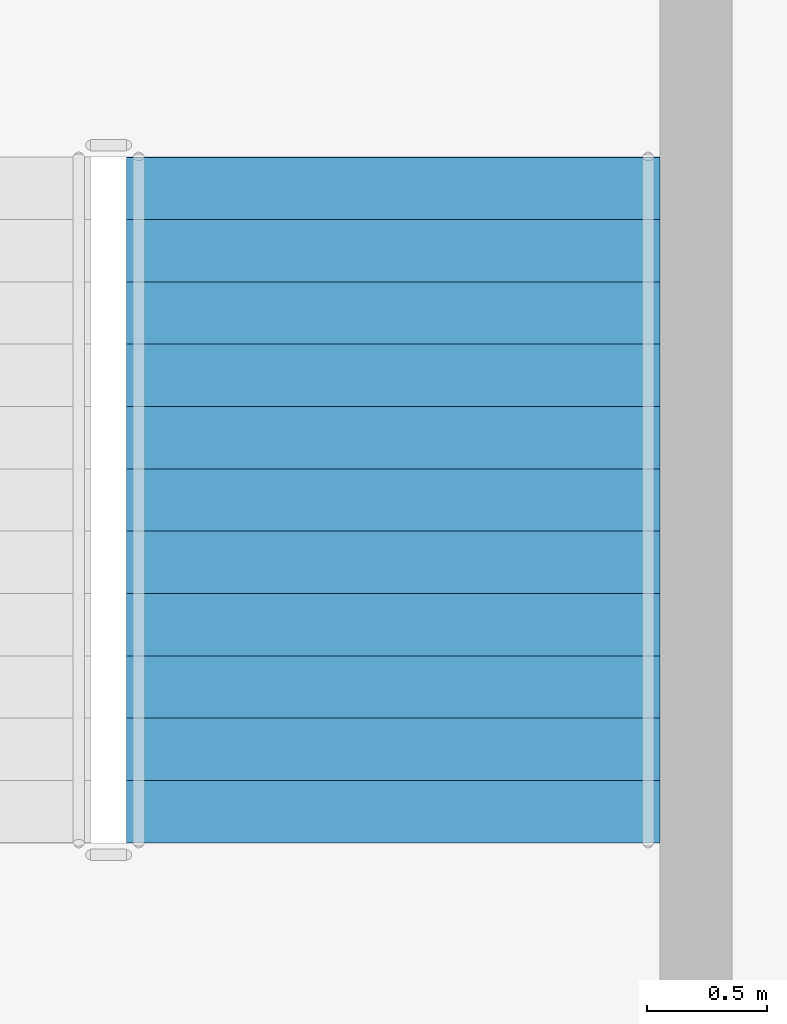
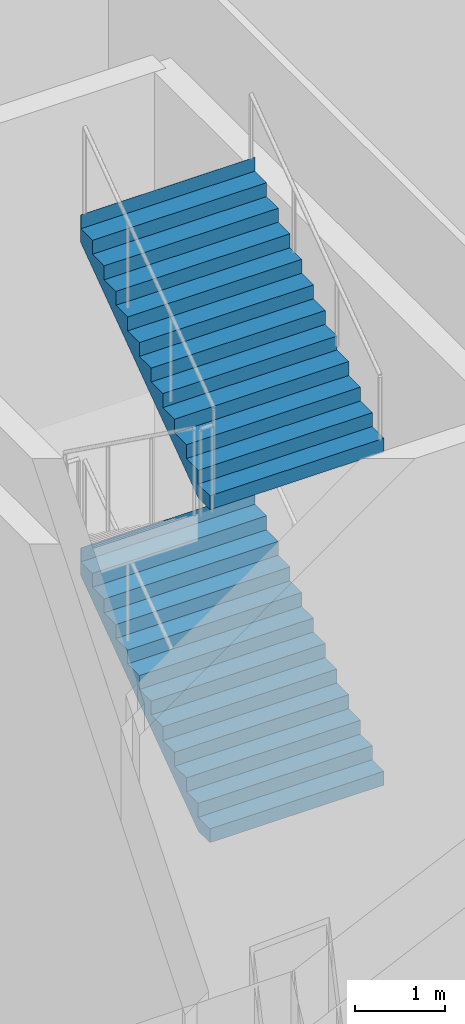
# One storey, part 16 of 35: 2 stair flights, 1 element without a shape of its own.
"""IFC4 building model written with IfcOpenShell, lengths in metres."""

from ifc_helpers import new_model, si_unit, direction, frame, origin, place, context, subcontext, project, spatial, triangles, material, type_object, element, aggregate, save


model = new_model("IFC4")

# Units and contexts
model_context = context("Model", 3, precision=1e-05, world=origin(), true_north=direction((0.0, 1.0)))
body_context = subcontext(model_context, "Body", "Model", "MODEL_VIEW")
ifc_project = project(units=[si_unit("LENGTHUNIT", "METRE"), si_unit("AREAUNIT", "SQUARE_METRE"), si_unit("VOLUMEUNIT", "CUBIC_METRE"), si_unit("PLANEANGLEUNIT", "RADIAN"), si_unit("MASSUNIT", "GRAM", prefix="KILO")], contexts=[model_context])

# Site, building, storey
site_placement = place(None, origin())
site = spatial("IfcSite", under=ifc_project, at=site_placement, CompositionType="ELEMENT")
building_placement = place(site_placement, origin())
building = spatial("IfcBuilding", under=site, at=building_placement, Name="Sahrelin Media Tower", CompositionType="ELEMENT")
storey_placement = place(building_placement, frame((0.0, 0.0, 8.0)))
storey = spatial("IfcBuildingStorey", under=building, at=storey_placement, Name="L01", CompositionType="ELEMENT", Elevation=8.0)

# Stair, stair flights
ifc_material = material(Name="Concrete C40/50", Category="concrete")
stair_type = type_object("IfcStairType", Name="Podium stair 2225", PredefinedType="HALF_TURN_STAIR", material=ifc_material)
stair_placement = place(storey_placement, origin())
stair = element("IfcStair", 1, at=stair_placement, inside=storey, type_object=stair_type, Name="L01 Podium stair PS3", PredefinedType="HALF_TURN_STAIR")
stair_flight_type = type_object("IfcStairFlightType", Name="Stair flight 2225", PredefinedType="STRAIGHT", material=ifc_material)
stair_flight_1_placement = place(storey_placement, frame((-9.46240234375, -33.485107421875, 2.25), z_axis=(0.0, 0.0, 1.0), x_axis=(0.0, 1.0, 0.0)))
stair_flight_1 = element("IfcStairFlight", 2, at=stair_flight_1_placement, type_object=stair_flight_type, Name="PS3 flight 2", NumberOfRisers=12, NumberOfTreads=11, PredefinedType="STRAIGHT", RiserHeight=0.1875, TreadLength=0.26, context=body_context, shape_type="Tessellation", body=[
    triangles([(0.25634765625, 1.112548828125, 0.0), (0.25634765625, 0.794677734375, 0.0), (0.25634765625, 0.476806640625, 0.0), (0.25634765625, 0.158935546875, 0.0), (0.25634765625, -0.158935546875, 0.0), (0.25634765625, -0.476806640625, 0.0), (0.25634765625, -0.794677734375, 0.0), (0.25634765625, -1.112548828125, 0.0), (2.860107421875, 1.112548828125, 1.877685546875), (2.860107421875, 0.794677734375, 1.877685546875), (2.860107421875, 0.476806640625, 1.877685546875), (2.860107421875, 0.158935546875, 1.877685546875), (2.860107421875, -0.158935546875, 1.877685546875), (2.860107421875, -0.476806640625, 1.877685546875), (2.860107421875, -0.794677734375, 1.877685546875), (2.860107421875, -1.112548828125, 1.877685546875), (2.860107421875, 1.112548828125, 2.25), (2.860107421875, 0.794677734375, 2.25), (2.860107421875, 0.476806640625, 2.25), (2.860107421875, 0.158935546875, 2.25), (2.860107421875, -0.158935546875, 2.25), (2.860107421875, -0.476806640625, 2.25), (2.860107421875, -0.794677734375, 2.25), (2.860107421875, -1.112548828125, 2.25), (2.85791015625, 1.112548828125, 2.25), (2.85791015625, 0.794677734375, 2.25), (2.85791015625, 0.476806640625, 2.25), (2.85791015625, 0.158935546875, 2.25), (2.85791015625, -0.158935546875, 2.25), (2.85791015625, -0.476806640625, 2.25), (2.85791015625, -0.794677734375, 2.25), (2.85791015625, -1.112548828125, 2.25), (2.85791015625, 1.112548828125, 2.0625), (2.85791015625, 0.794677734375, 2.0625), (2.85791015625, 0.476806640625, 2.0625), (2.85791015625, 0.158935546875, 2.0625), (2.85791015625, -0.158935546875, 2.0625), (2.85791015625, -0.476806640625, 2.0625), (2.85791015625, -0.794677734375, 2.0625), (2.85791015625, -1.112548828125, 2.0625), (2.60009765625, 1.112548828125, 2.0625), (2.60009765625, 0.794677734375, 2.0625), (2.60009765625, 0.476806640625, 2.0625), (2.60009765625, 0.158935546875, 2.0625), (2.60009765625, -0.158935546875, 2.0625), (2.60009765625, -0.476806640625, 2.0625), (2.60009765625, -0.794677734375, 2.0625), (2.60009765625, -1.112548828125, 2.0625), (2.60009765625, 1.112548828125, 1.875), (2.60009765625, 0.794677734375, 1.875), (2.60009765625, 0.476806640625, 1.875), (2.60009765625, 0.158935546875, 1.875), (2.60009765625, -0.158935546875, 1.875), (2.60009765625, -0.476806640625, 1.875), (2.60009765625, -0.794677734375, 1.875), (2.60009765625, -1.112548828125, 1.875), (2.340087890625, 1.112548828125, 1.875), (2.340087890625, 0.794677734375, 1.875), (2.340087890625, 0.476806640625, 1.875), (2.340087890625, 0.158935546875, 1.875), (2.340087890625, -0.158935546875, 1.875), (2.340087890625, -0.476806640625, 1.875), (2.340087890625, -0.794677734375, 1.875), (2.340087890625, -1.112548828125, 1.875), (2.340087890625, 1.112548828125, 1.6875), (2.340087890625, 0.794677734375, 1.6875), (2.340087890625, 0.476806640625, 1.6875), (2.340087890625, 0.158935546875, 1.6875), (2.340087890625, -0.158935546875, 1.6875), (2.340087890625, -0.476806640625, 1.6875), (2.340087890625, -0.794677734375, 1.6875), (2.340087890625, -1.112548828125, 1.6875), (2.080078125, 1.112548828125, 1.6875), (2.080078125, 0.794677734375, 1.6875), (2.080078125, 0.476806640625, 1.6875), (2.080078125, 0.158935546875, 1.6875), (2.080078125, -0.158935546875, 1.6875), (2.080078125, -0.476806640625, 1.6875), (2.080078125, -0.794677734375, 1.6875), (2.080078125, -1.112548828125, 1.6875), (2.080078125, 1.112548828125, 1.5), (2.080078125, 0.794677734375, 1.5), (2.080078125, 0.476806640625, 1.5), (2.080078125, 0.158935546875, 1.5), (2.080078125, -0.158935546875, 1.5), (2.080078125, -0.476806640625, 1.5), (2.080078125, -0.794677734375, 1.5), (2.080078125, -1.112548828125, 1.5), (1.820068359375, 1.112548828125, 1.5), (1.820068359375, 0.794677734375, 1.5), (1.820068359375, 0.476806640625, 1.5), (1.820068359375, 0.158935546875, 1.5), (1.820068359375, -0.158935546875, 1.5), (1.820068359375, -0.476806640625, 1.5), (1.820068359375, -0.794677734375, 1.5), (1.820068359375, -1.112548828125, 1.5), (1.820068359375, 1.112548828125, 1.3125), (1.820068359375, 0.794677734375, 1.3125), (1.820068359375, 0.476806640625, 1.3125), (1.820068359375, 0.158935546875, 1.3125), (1.820068359375, -0.158935546875, 1.3125), (1.820068359375, -0.476806640625, 1.3125), (1.820068359375, -0.794677734375, 1.3125), (1.820068359375, -1.112548828125, 1.3125), (1.56005859375, 1.112548828125, 1.3125), (1.56005859375, 0.794677734375, 1.3125), (1.56005859375, 0.476806640625, 1.3125), (1.56005859375, 0.158935546875, 1.3125), (1.56005859375, -0.158935546875, 1.3125), (1.56005859375, -0.476806640625, 1.3125), (1.56005859375, -0.794677734375, 1.3125), (1.56005859375, -1.112548828125, 1.3125), (1.56005859375, 1.112548828125, 1.125), (1.56005859375, 0.794677734375, 1.125), (1.56005859375, 0.476806640625, 1.125), (1.56005859375, 0.158935546875, 1.125), (1.56005859375, -0.158935546875, 1.125), (1.56005859375, -0.476806640625, 1.125), (1.56005859375, -0.794677734375, 1.125), (1.56005859375, -1.112548828125, 1.125), (1.300048828125, 1.112548828125, 1.125), (1.300048828125, 0.794677734375, 1.125), (1.300048828125, 0.476806640625, 1.125), (1.300048828125, 0.158935546875, 1.125), (1.300048828125, -0.158935546875, 1.125), (1.300048828125, -0.476806640625, 1.125), (1.300048828125, -0.794677734375, 1.125), (1.300048828125, -1.112548828125, 1.125), (1.300048828125, 1.112548828125, 0.9375), (1.300048828125, 0.794677734375, 0.9375), (1.300048828125, 0.476806640625, 0.9375), (1.300048828125, 0.158935546875, 0.9375), (1.300048828125, -0.158935546875, 0.9375), (1.300048828125, -0.476806640625, 0.9375), (1.300048828125, -0.794677734375, 0.9375), (1.300048828125, -1.112548828125, 0.9375), (1.0400390625, 1.112548828125, 0.9375), (1.0400390625, 0.794677734375, 0.9375), (1.0400390625, 0.476806640625, 0.9375), (1.0400390625, 0.158935546875, 0.9375), (1.0400390625, -0.158935546875, 0.9375), (1.0400390625, -0.476806640625, 0.9375), (1.0400390625, -0.794677734375, 0.9375), (1.0400390625, -1.112548828125, 0.9375), (1.0400390625, 1.112548828125, 0.75), (1.0400390625, 0.794677734375, 0.75), (1.0400390625, 0.476806640625, 0.75), (1.0400390625, 0.158935546875, 0.75), (1.0400390625, -0.158935546875, 0.75), (1.0400390625, -0.476806640625, 0.75), (1.0400390625, -0.794677734375, 0.75), (1.0400390625, -1.112548828125, 0.75), (0.780029296875, 1.112548828125, 0.75), (0.780029296875, 0.794677734375, 0.75), (0.780029296875, 0.476806640625, 0.75), (0.780029296875, 0.158935546875, 0.75), (0.780029296875, -0.158935546875, 0.75), (0.780029296875, -0.476806640625, 0.75), (0.780029296875, -0.794677734375, 0.75), (0.780029296875, -1.112548828125, 0.75), (0.780029296875, 1.112548828125, 0.5625), (0.780029296875, 0.794677734375, 0.5625), (0.780029296875, 0.476806640625, 0.5625), (0.780029296875, 0.158935546875, 0.5625), (0.780029296875, -0.158935546875, 0.5625), (0.780029296875, -0.476806640625, 0.5625), (0.780029296875, -0.794677734375, 0.5625), (0.780029296875, -1.112548828125, 0.5625), (0.52001953125, 1.112548828125, 0.5625), (0.52001953125, 0.794677734375, 0.5625), (0.52001953125, 0.476806640625, 0.5625), (0.52001953125, 0.158935546875, 0.5625), (0.52001953125, -0.158935546875, 0.5625), (0.52001953125, -0.476806640625, 0.5625), (0.52001953125, -0.794677734375, 0.5625), (0.52001953125, -1.112548828125, 0.5625), (0.52001953125, 1.112548828125, 0.375), (0.52001953125, 0.794677734375, 0.375), (0.52001953125, 0.476806640625, 0.375), (0.52001953125, 0.158935546875, 0.375), (0.52001953125, -0.158935546875, 0.375), (0.52001953125, -0.476806640625, 0.375), (0.52001953125, -0.794677734375, 0.375), (0.52001953125, -1.112548828125, 0.375), (0.260009765625, 1.112548828125, 0.375), (0.260009765625, 0.794677734375, 0.375), (0.260009765625, 0.476806640625, 0.375), (0.260009765625, 0.158935546875, 0.375), (0.260009765625, -0.158935546875, 0.375), (0.260009765625, -0.476806640625, 0.375), (0.260009765625, -0.794677734375, 0.375), (0.260009765625, -1.112548828125, 0.375), (0.260009765625, 1.112548828125, 0.1875), (0.260009765625, 0.794677734375, 0.1875), (0.260009765625, 0.476806640625, 0.1875), (0.260009765625, 0.158935546875, 0.1875), (0.260009765625, -0.158935546875, 0.1875), (0.260009765625, -0.476806640625, 0.1875), (0.260009765625, -0.794677734375, 0.1875), (0.260009765625, -1.112548828125, 0.1875), (0.0, 1.112548828125, 0.1875), (0.0, 0.794677734375, 0.1875), (0.0, 0.476806640625, 0.1875), (0.0, 0.158935546875, 0.1875), (0.0, -0.158935546875, 0.1875), (0.0, -0.476806640625, 0.1875), (0.0, -0.794677734375, 0.1875), (0.0, -1.112548828125, 0.1875), (0.0, 1.112548828125, 0.0), (0.0, 0.794677734375, 0.0), (0.0, 0.476806640625, 0.0), (0.0, 0.158935546875, 0.0), (0.0, -0.158935546875, 0.0), (0.0, -0.476806640625, 0.0), (0.0, -0.794677734375, 0.0), (0.0, -1.112548828125, 0.0)], [[1, 9, 10], [1, 10, 2], [2, 10, 11], [2, 11, 3], [3, 11, 12], [3, 12, 4], [4, 12, 13], [4, 13, 5], [5, 13, 14], [5, 14, 6], [6, 14, 15], [6, 15, 7], [7, 15, 16], [7, 16, 8], [9, 17, 18], [9, 18, 10], [10, 18, 19], [10, 19, 11], [11, 19, 20], [11, 20, 12], [12, 20, 21], [12, 21, 13], [13, 21, 22], [13, 22, 14], [14, 22, 23], [14, 23, 15], [15, 23, 24], [15, 24, 16], [17, 25, 26], [17, 26, 18], [18, 26, 27], [18, 27, 19], [19, 27, 28], [19, 28, 20], [20, 28, 29], [20, 29, 21], [21, 29, 30], [21, 30, 22], [22, 30, 31], [22, 31, 23], [23, 31, 32], [23, 32, 24], [25, 33, 34], [25, 34, 26], [26, 34, 35], [26, 35, 27], [27, 35, 36], [27, 36, 28], [28, 36, 37], [28, 37, 29], [29, 37, 38], [29, 38, 30], [30, 38, 39], [30, 39, 31], [31, 39, 40], [31, 40, 32], [33, 41, 42], [33, 42, 34], [34, 42, 43], [34, 43, 35], [35, 43, 44], [35, 44, 36], [36, 44, 45], [36, 45, 37], [37, 45, 46], [37, 46, 38], [38, 46, 47], [38, 47, 39], [39, 47, 48], [39, 48, 40], [41, 49, 50], [41, 50, 42], [42, 50, 51], [42, 51, 43], [43, 51, 52], [43, 52, 44], [44, 52, 53], [44, 53, 45], [45, 53, 54], [45, 54, 46], [46, 54, 55], [46, 55, 47], [47, 55, 56], [47, 56, 48], [49, 57, 58], [49, 58, 50], [50, 58, 59], [50, 59, 51], [51, 59, 60], [51, 60, 52], [52, 60, 61], [52, 61, 53], [53, 61, 62], [53, 62, 54], [54, 62, 63], [54, 63, 55], [55, 63, 64], [55, 64, 56], [57, 65, 66], [57, 66, 58], [58, 66, 67], [58, 67, 59], [59, 67, 68], [59, 68, 60], [60, 68, 69], [60, 69, 61], [61, 69, 70], [61, 70, 62], [62, 70, 71], [62, 71, 63], [63, 71, 72], [63, 72, 64], [65, 73, 74], [65, 74, 66], [66, 74, 75], [66, 75, 67], [67, 75, 76], [67, 76, 68], [68, 76, 77], [68, 77, 69], [69, 77, 78], [69, 78, 70], [70, 78, 79], [70, 79, 71], [71, 79, 80], [71, 80, 72], [73, 81, 82], [73, 82, 74], [74, 82, 83], [74, 83, 75], [75, 83, 84], [75, 84, 76], [76, 84, 85], [76, 85, 77], [77, 85, 86], [77, 86, 78], [78, 86, 87], [78, 87, 79], [79, 87, 88], [79, 88, 80], [81, 89, 90], [81, 90, 82], [82, 90, 91], [82, 91, 83], [83, 91, 92], [83, 92, 84], [84, 92, 93], [84, 93, 85], [85, 93, 94], [85, 94, 86], [86, 94, 95], [86, 95, 87], [87, 95, 96], [87, 96, 88], [89, 97, 98], [89, 98, 90], [90, 98, 99], [90, 99, 91], [91, 99, 100], [91, 100, 92], [92, 100, 101], [92, 101, 93], [93, 101, 102], [93, 102, 94], [94, 102, 103], [94, 103, 95], [95, 103, 104], [95, 104, 96], [97, 105, 106], [97, 106, 98], [98, 106, 107], [98, 107, 99], [99, 107, 108], [99, 108, 100], [100, 108, 109], [100, 109, 101], [101, 109, 110], [101, 110, 102], [102, 110, 111], [102, 111, 103], [103, 111, 112], [103, 112, 104], [105, 113, 114], [105, 114, 106], [106, 114, 115], [106, 115, 107], [107, 115, 116], [107, 116, 108], [108, 116, 117], [108, 117, 109], [109, 117, 118], [109, 118, 110], [110, 118, 119], [110, 119, 111], [111, 119, 120], [111, 120, 112], [113, 121, 122], [113, 122, 114], [114, 122, 123], [114, 123, 115], [115, 123, 124], [115, 124, 116], [116, 124, 125], [116, 125, 117], [117, 125, 126], [117, 126, 118], [118, 126, 127], [118, 127, 119], [119, 127, 128], [119, 128, 120], [121, 129, 130], [121, 130, 122], [122, 130, 131], [122, 131, 123], [123, 131, 132], [123, 132, 124], [124, 132, 133], [124, 133, 125], [125, 133, 134], [125, 134, 126], [126, 134, 135], [126, 135, 127], [127, 135, 136], [127, 136, 128], [129, 137, 138], [129, 138, 130], [130, 138, 139], [130, 139, 131], [131, 139, 140], [131, 140, 132], [132, 140, 141], [132, 141, 133], [133, 141, 142], [133, 142, 134], [134, 142, 143], [134, 143, 135], [135, 143, 144], [135, 144, 136], [137, 145, 146], [137, 146, 138], [138, 146, 147], [138, 147, 139], [139, 147, 148], [139, 148, 140], [140, 148, 149], [140, 149, 141], [141, 149, 150], [141, 150, 142], [142, 150, 151], [142, 151, 143], [143, 151, 152], [143, 152, 144], [145, 153, 154], [145, 154, 146], [146, 154, 155], [146, 155, 147], [147, 155, 156], [147, 156, 148], [148, 156, 157], [148, 157, 149], [149, 157, 158], [149, 158, 150], [150, 158, 159], [150, 159, 151], [151, 159, 160], [151, 160, 152], [153, 161, 162], [153, 162, 154], [154, 162, 163], [154, 163, 155], [155, 163, 164], [155, 164, 156], [156, 164, 165], [156, 165, 157], [157, 165, 166], [157, 166, 158], [158, 166, 167], [158, 167, 159], [159, 167, 168], [159, 168, 160], [161, 169, 170], [161, 170, 162], [162, 170, 171], [162, 171, 163], [163, 171, 172], [163, 172, 164], [164, 172, 173], [164, 173, 165], [165, 173, 174], [165, 174, 166], [166, 174, 175], [166, 175, 167], [167, 175, 176], [167, 176, 168], [169, 177, 178], [169, 178, 170], [170, 178, 179], [170, 179, 171], [171, 179, 180], [171, 180, 172], [172, 180, 181], [172, 181, 173], [173, 181, 182], [173, 182, 174], [174, 182, 183], [174, 183, 175], [175, 183, 184], [175, 184, 176], [177, 185, 186], [177, 186, 178], [178, 186, 187], [178, 187, 179], [179, 187, 188], [179, 188, 180], [180, 188, 189], [180, 189, 181], [181, 189, 190], [181, 190, 182], [182, 190, 191], [182, 191, 183], [183, 191, 192], [183, 192, 184], [185, 193, 194], [185, 194, 186], [186, 194, 195], [186, 195, 187], [187, 195, 196], [187, 196, 188], [188, 196, 197], [188, 197, 189], [189, 197, 198], [189, 198, 190], [190, 198, 199], [190, 199, 191], [191, 199, 200], [191, 200, 192], [193, 201, 202], [193, 202, 194], [194, 202, 203], [194, 203, 195], [195, 203, 204], [195, 204, 196], [196, 204, 205], [196, 205, 197], [197, 205, 206], [197, 206, 198], [198, 206, 207], [198, 207, 199], [199, 207, 208], [199, 208, 200], [201, 209, 210], [201, 210, 202], [202, 210, 211], [202, 211, 203], [203, 211, 212], [203, 212, 204], [204, 212, 213], [204, 213, 205], [205, 213, 214], [205, 214, 206], [206, 214, 215], [206, 215, 207], [207, 215, 216], [207, 216, 208], [209, 1, 2], [209, 2, 210], [210, 2, 3], [210, 3, 211], [211, 3, 4], [211, 4, 212], [212, 4, 5], [212, 5, 213], [213, 5, 6], [213, 6, 214], [214, 6, 7], [214, 7, 215], [215, 7, 8], [215, 8, 216], [8, 208, 216], [1, 209, 201], [200, 184, 192], [193, 185, 177], [184, 168, 176], [177, 169, 161], [168, 152, 160], [161, 153, 145], [152, 136, 144], [145, 137, 129], [136, 120, 128], [129, 121, 113], [120, 104, 112], [113, 105, 97], [104, 88, 96], [97, 89, 81], [88, 72, 80], [81, 73, 65], [72, 56, 64], [65, 57, 49], [56, 40, 48], [49, 41, 33], [40, 24, 32], [33, 25, 17], [8, 200, 208], [1, 201, 193], [16, 56, 72], [9, 65, 49], [40, 16, 24], [33, 17, 9], [184, 200, 8], [177, 1, 193], [56, 16, 40], [49, 33, 9], [168, 184, 8], [161, 1, 177], [72, 88, 16], [65, 9, 81], [152, 168, 8], [145, 1, 161], [104, 16, 88], [97, 81, 9], [136, 152, 8], [129, 1, 145], [120, 16, 104], [113, 97, 9], [120, 136, 8], [113, 1, 129], [8, 16, 120], [1, 113, 9]], closed=True),
])
stair_flight_2_placement = place(storey_placement, frame((-9.46240234375, -33.485107421875, 6.75), z_axis=(0.0, 0.0, 1.0), x_axis=(0.0, 1.0, 0.0)))
stair_flight_2 = element("IfcStairFlight", 3, at=stair_flight_2_placement, type_object=stair_flight_type, Name="PS3 flight 4", NumberOfRisers=12, NumberOfTreads=11, PredefinedType="STRAIGHT", RiserHeight=0.1875, TreadLength=0.26, context=body_context, shape_type="Tessellation", body=[
    triangles([(0.25634765625, 1.112548828125, 0.0), (0.25634765625, 0.794677734375, 0.0), (0.25634765625, 0.476806640625, 0.0), (0.25634765625, 0.158935546875, 0.0), (0.25634765625, -0.158935546875, 0.0), (0.25634765625, -0.476806640625, 0.0), (0.25634765625, -0.794677734375, 0.0), (0.25634765625, -1.112548828125, 0.0), (2.860107421875, 1.112548828125, 1.877685546875), (2.860107421875, 0.794677734375, 1.877685546875), (2.860107421875, 0.476806640625, 1.877685546875), (2.860107421875, 0.158935546875, 1.877685546875), (2.860107421875, -0.158935546875, 1.877685546875), (2.860107421875, -0.476806640625, 1.877685546875), (2.860107421875, -0.794677734375, 1.877685546875), (2.860107421875, -1.112548828125, 1.877685546875), (2.860107421875, 1.112548828125, 2.25), (2.860107421875, 0.794677734375, 2.25), (2.860107421875, 0.476806640625, 2.25), (2.860107421875, 0.158935546875, 2.25), (2.860107421875, -0.158935546875, 2.25), (2.860107421875, -0.476806640625, 2.25), (2.860107421875, -0.794677734375, 2.25), (2.860107421875, -1.112548828125, 2.25), (2.85791015625, 1.112548828125, 2.25), (2.85791015625, 0.794677734375, 2.25), (2.85791015625, 0.476806640625, 2.25), (2.85791015625, 0.158935546875, 2.25), (2.85791015625, -0.158935546875, 2.25), (2.85791015625, -0.476806640625, 2.25), (2.85791015625, -0.794677734375, 2.25), (2.85791015625, -1.112548828125, 2.25), (2.85791015625, 1.112548828125, 2.0625), (2.85791015625, 0.794677734375, 2.0625), (2.85791015625, 0.476806640625, 2.0625), (2.85791015625, 0.158935546875, 2.0625), (2.85791015625, -0.158935546875, 2.0625), (2.85791015625, -0.476806640625, 2.0625), (2.85791015625, -0.794677734375, 2.0625), (2.85791015625, -1.112548828125, 2.0625), (2.60009765625, 1.112548828125, 2.0625), (2.60009765625, 0.794677734375, 2.0625), (2.60009765625, 0.476806640625, 2.0625), (2.60009765625, 0.158935546875, 2.0625), (2.60009765625, -0.158935546875, 2.0625), (2.60009765625, -0.476806640625, 2.0625), (2.60009765625, -0.794677734375, 2.0625), (2.60009765625, -1.112548828125, 2.0625), (2.60009765625, 1.112548828125, 1.875), (2.60009765625, 0.794677734375, 1.875), (2.60009765625, 0.476806640625, 1.875), (2.60009765625, 0.158935546875, 1.875), (2.60009765625, -0.158935546875, 1.875), (2.60009765625, -0.476806640625, 1.875), (2.60009765625, -0.794677734375, 1.875), (2.60009765625, -1.112548828125, 1.875), (2.340087890625, 1.112548828125, 1.875), (2.340087890625, 0.794677734375, 1.875), (2.340087890625, 0.476806640625, 1.875), (2.340087890625, 0.158935546875, 1.875), (2.340087890625, -0.158935546875, 1.875), (2.340087890625, -0.476806640625, 1.875), (2.340087890625, -0.794677734375, 1.875), (2.340087890625, -1.112548828125, 1.875), (2.340087890625, 1.112548828125, 1.6875), (2.340087890625, 0.794677734375, 1.6875), (2.340087890625, 0.476806640625, 1.6875), (2.340087890625, 0.158935546875, 1.6875), (2.340087890625, -0.158935546875, 1.6875), (2.340087890625, -0.476806640625, 1.6875), (2.340087890625, -0.794677734375, 1.6875), (2.340087890625, -1.112548828125, 1.6875), (2.080078125, 1.112548828125, 1.6875), (2.080078125, 0.794677734375, 1.6875), (2.080078125, 0.476806640625, 1.6875), (2.080078125, 0.158935546875, 1.6875), (2.080078125, -0.158935546875, 1.6875), (2.080078125, -0.476806640625, 1.6875), (2.080078125, -0.794677734375, 1.6875), (2.080078125, -1.112548828125, 1.6875), (2.080078125, 1.112548828125, 1.5), (2.080078125, 0.794677734375, 1.5), (2.080078125, 0.476806640625, 1.5), (2.080078125, 0.158935546875, 1.5), (2.080078125, -0.158935546875, 1.5), (2.080078125, -0.476806640625, 1.5), (2.080078125, -0.794677734375, 1.5), (2.080078125, -1.112548828125, 1.5), (1.820068359375, 1.112548828125, 1.5), (1.820068359375, 0.794677734375, 1.5), (1.820068359375, 0.476806640625, 1.5), (1.820068359375, 0.158935546875, 1.5), (1.820068359375, -0.158935546875, 1.5), (1.820068359375, -0.476806640625, 1.5), (1.820068359375, -0.794677734375, 1.5), (1.820068359375, -1.112548828125, 1.5), (1.820068359375, 1.112548828125, 1.3125), (1.820068359375, 0.794677734375, 1.3125), (1.820068359375, 0.476806640625, 1.3125), (1.820068359375, 0.158935546875, 1.3125), (1.820068359375, -0.158935546875, 1.3125), (1.820068359375, -0.476806640625, 1.3125), (1.820068359375, -0.794677734375, 1.3125), (1.820068359375, -1.112548828125, 1.3125), (1.56005859375, 1.112548828125, 1.3125), (1.56005859375, 0.794677734375, 1.3125), (1.56005859375, 0.476806640625, 1.3125), (1.56005859375, 0.158935546875, 1.3125), (1.56005859375, -0.158935546875, 1.3125), (1.56005859375, -0.476806640625, 1.3125), (1.56005859375, -0.794677734375, 1.3125), (1.56005859375, -1.112548828125, 1.3125), (1.56005859375, 1.112548828125, 1.125), (1.56005859375, 0.794677734375, 1.125), (1.56005859375, 0.476806640625, 1.125), (1.56005859375, 0.158935546875, 1.125), (1.56005859375, -0.158935546875, 1.125), (1.56005859375, -0.476806640625, 1.125), (1.56005859375, -0.794677734375, 1.125), (1.56005859375, -1.112548828125, 1.125), (1.300048828125, 1.112548828125, 1.125), (1.300048828125, 0.794677734375, 1.125), (1.300048828125, 0.476806640625, 1.125), (1.300048828125, 0.158935546875, 1.125), (1.300048828125, -0.158935546875, 1.125), (1.300048828125, -0.476806640625, 1.125), (1.300048828125, -0.794677734375, 1.125), (1.300048828125, -1.112548828125, 1.125), (1.300048828125, 1.112548828125, 0.9375), (1.300048828125, 0.794677734375, 0.9375), (1.300048828125, 0.476806640625, 0.9375), (1.300048828125, 0.158935546875, 0.9375), (1.300048828125, -0.158935546875, 0.9375), (1.300048828125, -0.476806640625, 0.9375), (1.300048828125, -0.794677734375, 0.9375), (1.300048828125, -1.112548828125, 0.9375), (1.0400390625, 1.112548828125, 0.9375), (1.0400390625, 0.794677734375, 0.9375), (1.0400390625, 0.476806640625, 0.9375), (1.0400390625, 0.158935546875, 0.9375), (1.0400390625, -0.158935546875, 0.9375), (1.0400390625, -0.476806640625, 0.9375), (1.0400390625, -0.794677734375, 0.9375), (1.0400390625, -1.112548828125, 0.9375), (1.0400390625, 1.112548828125, 0.75), (1.0400390625, 0.794677734375, 0.75), (1.0400390625, 0.476806640625, 0.75), (1.0400390625, 0.158935546875, 0.75), (1.0400390625, -0.158935546875, 0.75), (1.0400390625, -0.476806640625, 0.75), (1.0400390625, -0.794677734375, 0.75), (1.0400390625, -1.112548828125, 0.75), (0.780029296875, 1.112548828125, 0.75), (0.780029296875, 0.794677734375, 0.75), (0.780029296875, 0.476806640625, 0.75), (0.780029296875, 0.158935546875, 0.75), (0.780029296875, -0.158935546875, 0.75), (0.780029296875, -0.476806640625, 0.75), (0.780029296875, -0.794677734375, 0.75), (0.780029296875, -1.112548828125, 0.75), (0.780029296875, 1.112548828125, 0.5625), (0.780029296875, 0.794677734375, 0.5625), (0.780029296875, 0.476806640625, 0.5625), (0.780029296875, 0.158935546875, 0.5625), (0.780029296875, -0.158935546875, 0.5625), (0.780029296875, -0.476806640625, 0.5625), (0.780029296875, -0.794677734375, 0.5625), (0.780029296875, -1.112548828125, 0.5625), (0.52001953125, 1.112548828125, 0.5625), (0.52001953125, 0.794677734375, 0.5625), (0.52001953125, 0.476806640625, 0.5625), (0.52001953125, 0.158935546875, 0.5625), (0.52001953125, -0.158935546875, 0.5625), (0.52001953125, -0.476806640625, 0.5625), (0.52001953125, -0.794677734375, 0.5625), (0.52001953125, -1.112548828125, 0.5625), (0.52001953125, 1.112548828125, 0.375), (0.52001953125, 0.794677734375, 0.375), (0.52001953125, 0.476806640625, 0.375), (0.52001953125, 0.158935546875, 0.375), (0.52001953125, -0.158935546875, 0.375), (0.52001953125, -0.476806640625, 0.375), (0.52001953125, -0.794677734375, 0.375), (0.52001953125, -1.112548828125, 0.375), (0.260009765625, 1.112548828125, 0.375), (0.260009765625, 0.794677734375, 0.375), (0.260009765625, 0.476806640625, 0.375), (0.260009765625, 0.158935546875, 0.375), (0.260009765625, -0.158935546875, 0.375), (0.260009765625, -0.476806640625, 0.375), (0.260009765625, -0.794677734375, 0.375), (0.260009765625, -1.112548828125, 0.375), (0.260009765625, 1.112548828125, 0.1875), (0.260009765625, 0.794677734375, 0.1875), (0.260009765625, 0.476806640625, 0.1875), (0.260009765625, 0.158935546875, 0.1875), (0.260009765625, -0.158935546875, 0.1875), (0.260009765625, -0.476806640625, 0.1875), (0.260009765625, -0.794677734375, 0.1875), (0.260009765625, -1.112548828125, 0.1875), (0.0, 1.112548828125, 0.1875), (0.0, 0.794677734375, 0.1875), (0.0, 0.476806640625, 0.1875), (0.0, 0.158935546875, 0.1875), (0.0, -0.158935546875, 0.1875), (0.0, -0.476806640625, 0.1875), (0.0, -0.794677734375, 0.1875), (0.0, -1.112548828125, 0.1875), (0.0, 1.112548828125, 0.0), (0.0, 0.794677734375, 0.0), (0.0, 0.476806640625, 0.0), (0.0, 0.158935546875, 0.0), (0.0, -0.158935546875, 0.0), (0.0, -0.476806640625, 0.0), (0.0, -0.794677734375, 0.0), (0.0, -1.112548828125, 0.0)], [[1, 9, 10], [1, 10, 2], [2, 10, 11], [2, 11, 3], [3, 11, 12], [3, 12, 4], [4, 12, 13], [4, 13, 5], [5, 13, 14], [5, 14, 6], [6, 14, 15], [6, 15, 7], [7, 15, 16], [7, 16, 8], [9, 17, 18], [9, 18, 10], [10, 18, 19], [10, 19, 11], [11, 19, 20], [11, 20, 12], [12, 20, 21], [12, 21, 13], [13, 21, 22], [13, 22, 14], [14, 22, 23], [14, 23, 15], [15, 23, 24], [15, 24, 16], [17, 25, 26], [17, 26, 18], [18, 26, 27], [18, 27, 19], [19, 27, 28], [19, 28, 20], [20, 28, 29], [20, 29, 21], [21, 29, 30], [21, 30, 22], [22, 30, 31], [22, 31, 23], [23, 31, 32], [23, 32, 24], [25, 33, 34], [25, 34, 26], [26, 34, 35], [26, 35, 27], [27, 35, 36], [27, 36, 28], [28, 36, 37], [28, 37, 29], [29, 37, 38], [29, 38, 30], [30, 38, 39], [30, 39, 31], [31, 39, 40], [31, 40, 32], [33, 41, 42], [33, 42, 34], [34, 42, 43], [34, 43, 35], [35, 43, 44], [35, 44, 36], [36, 44, 45], [36, 45, 37], [37, 45, 46], [37, 46, 38], [38, 46, 47], [38, 47, 39], [39, 47, 48], [39, 48, 40], [41, 49, 50], [41, 50, 42], [42, 50, 51], [42, 51, 43], [43, 51, 52], [43, 52, 44], [44, 52, 53], [44, 53, 45], [45, 53, 54], [45, 54, 46], [46, 54, 55], [46, 55, 47], [47, 55, 56], [47, 56, 48], [49, 57, 58], [49, 58, 50], [50, 58, 59], [50, 59, 51], [51, 59, 60], [51, 60, 52], [52, 60, 61], [52, 61, 53], [53, 61, 62], [53, 62, 54], [54, 62, 63], [54, 63, 55], [55, 63, 64], [55, 64, 56], [57, 65, 66], [57, 66, 58], [58, 66, 67], [58, 67, 59], [59, 67, 68], [59, 68, 60], [60, 68, 69], [60, 69, 61], [61, 69, 70], [61, 70, 62], [62, 70, 71], [62, 71, 63], [63, 71, 72], [63, 72, 64], [65, 73, 74], [65, 74, 66], [66, 74, 75], [66, 75, 67], [67, 75, 76], [67, 76, 68], [68, 76, 77], [68, 77, 69], [69, 77, 78], [69, 78, 70], [70, 78, 79], [70, 79, 71], [71, 79, 80], [71, 80, 72], [73, 81, 82], [73, 82, 74], [74, 82, 83], [74, 83, 75], [75, 83, 84], [75, 84, 76], [76, 84, 85], [76, 85, 77], [77, 85, 86], [77, 86, 78], [78, 86, 87], [78, 87, 79], [79, 87, 88], [79, 88, 80], [81, 89, 90], [81, 90, 82], [82, 90, 91], [82, 91, 83], [83, 91, 92], [83, 92, 84], [84, 92, 93], [84, 93, 85], [85, 93, 94], [85, 94, 86], [86, 94, 95], [86, 95, 87], [87, 95, 96], [87, 96, 88], [89, 97, 98], [89, 98, 90], [90, 98, 99], [90, 99, 91], [91, 99, 100], [91, 100, 92], [92, 100, 101], [92, 101, 93], [93, 101, 102], [93, 102, 94], [94, 102, 103], [94, 103, 95], [95, 103, 104], [95, 104, 96], [97, 105, 106], [97, 106, 98], [98, 106, 107], [98, 107, 99], [99, 107, 108], [99, 108, 100], [100, 108, 109], [100, 109, 101], [101, 109, 110], [101, 110, 102], [102, 110, 111], [102, 111, 103], [103, 111, 112], [103, 112, 104], [105, 113, 114], [105, 114, 106], [106, 114, 115], [106, 115, 107], [107, 115, 116], [107, 116, 108], [108, 116, 117], [108, 117, 109], [109, 117, 118], [109, 118, 110], [110, 118, 119], [110, 119, 111], [111, 119, 120], [111, 120, 112], [113, 121, 122], [113, 122, 114], [114, 122, 123], [114, 123, 115], [115, 123, 124], [115, 124, 116], [116, 124, 125], [116, 125, 117], [117, 125, 126], [117, 126, 118], [118, 126, 127], [118, 127, 119], [119, 127, 128], [119, 128, 120], [121, 129, 130], [121, 130, 122], [122, 130, 131], [122, 131, 123], [123, 131, 132], [123, 132, 124], [124, 132, 133], [124, 133, 125], [125, 133, 134], [125, 134, 126], [126, 134, 135], [126, 135, 127], [127, 135, 136], [127, 136, 128], [129, 137, 138], [129, 138, 130], [130, 138, 139], [130, 139, 131], [131, 139, 140], [131, 140, 132], [132, 140, 141], [132, 141, 133], [133, 141, 142], [133, 142, 134], [134, 142, 143], [134, 143, 135], [135, 143, 144], [135, 144, 136], [137, 145, 146], [137, 146, 138], [138, 146, 147], [138, 147, 139], [139, 147, 148], [139, 148, 140], [140, 148, 149], [140, 149, 141], [141, 149, 150], [141, 150, 142], [142, 150, 151], [142, 151, 143], [143, 151, 152], [143, 152, 144], [145, 153, 154], [145, 154, 146], [146, 154, 155], [146, 155, 147], [147, 155, 156], [147, 156, 148], [148, 156, 157], [148, 157, 149], [149, 157, 158], [149, 158, 150], [150, 158, 159], [150, 159, 151], [151, 159, 160], [151, 160, 152], [153, 161, 162], [153, 162, 154], [154, 162, 163], [154, 163, 155], [155, 163, 164], [155, 164, 156], [156, 164, 165], [156, 165, 157], [157, 165, 166], [157, 166, 158], [158, 166, 167], [158, 167, 159], [159, 167, 168], [159, 168, 160], [161, 169, 170], [161, 170, 162], [162, 170, 171], [162, 171, 163], [163, 171, 172], [163, 172, 164], [164, 172, 173], [164, 173, 165], [165, 173, 174], [165, 174, 166], [166, 174, 175], [166, 175, 167], [167, 175, 176], [167, 176, 168], [169, 177, 178], [169, 178, 170], [170, 178, 179], [170, 179, 171], [171, 179, 180], [171, 180, 172], [172, 180, 181], [172, 181, 173], [173, 181, 182], [173, 182, 174], [174, 182, 183], [174, 183, 175], [175, 183, 184], [175, 184, 176], [177, 185, 186], [177, 186, 178], [178, 186, 187], [178, 187, 179], [179, 187, 188], [179, 188, 180], [180, 188, 189], [180, 189, 181], [181, 189, 190], [181, 190, 182], [182, 190, 191], [182, 191, 183], [183, 191, 192], [183, 192, 184], [185, 193, 194], [185, 194, 186], [186, 194, 195], [186, 195, 187], [187, 195, 196], [187, 196, 188], [188, 196, 197], [188, 197, 189], [189, 197, 198], [189, 198, 190], [190, 198, 199], [190, 199, 191], [191, 199, 200], [191, 200, 192], [193, 201, 202], [193, 202, 194], [194, 202, 203], [194, 203, 195], [195, 203, 204], [195, 204, 196], [196, 204, 205], [196, 205, 197], [197, 205, 206], [197, 206, 198], [198, 206, 207], [198, 207, 199], [199, 207, 208], [199, 208, 200], [201, 209, 210], [201, 210, 202], [202, 210, 211], [202, 211, 203], [203, 211, 212], [203, 212, 204], [204, 212, 213], [204, 213, 205], [205, 213, 214], [205, 214, 206], [206, 214, 215], [206, 215, 207], [207, 215, 216], [207, 216, 208], [209, 1, 2], [209, 2, 210], [210, 2, 3], [210, 3, 211], [211, 3, 4], [211, 4, 212], [212, 4, 5], [212, 5, 213], [213, 5, 6], [213, 6, 214], [214, 6, 7], [214, 7, 215], [215, 7, 8], [215, 8, 216], [8, 208, 216], [1, 209, 201], [200, 184, 192], [193, 185, 177], [184, 168, 176], [177, 169, 161], [168, 152, 160], [161, 153, 145], [152, 136, 144], [145, 137, 129], [136, 120, 128], [129, 121, 113], [120, 104, 112], [113, 105, 97], [104, 88, 96], [97, 89, 81], [88, 72, 80], [81, 73, 65], [72, 56, 64], [65, 57, 49], [56, 40, 48], [49, 41, 33], [40, 24, 32], [33, 25, 17], [8, 200, 208], [1, 201, 193], [16, 56, 72], [9, 65, 49], [40, 16, 24], [33, 17, 9], [184, 200, 8], [177, 1, 193], [56, 16, 40], [49, 33, 9], [168, 184, 8], [161, 1, 177], [72, 88, 16], [65, 9, 81], [152, 168, 8], [145, 1, 161], [104, 16, 88], [97, 81, 9], [136, 152, 8], [129, 1, 145], [120, 16, 104], [113, 97, 9], [120, 136, 8], [113, 1, 129], [8, 16, 120], [1, 113, 9]], closed=True),
])
aggregate(stair, [stair_flight_1, stair_flight_2])

save(model, "model.ifc")
